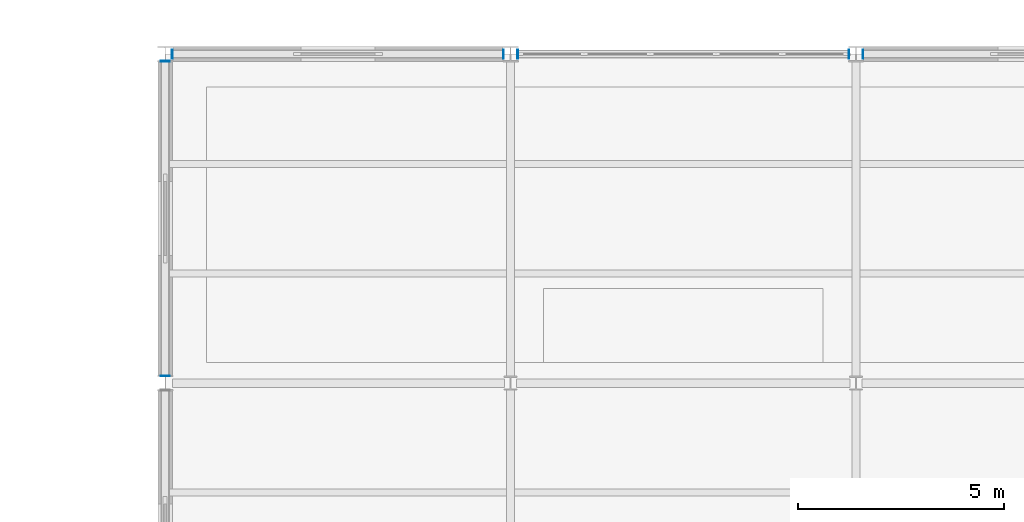
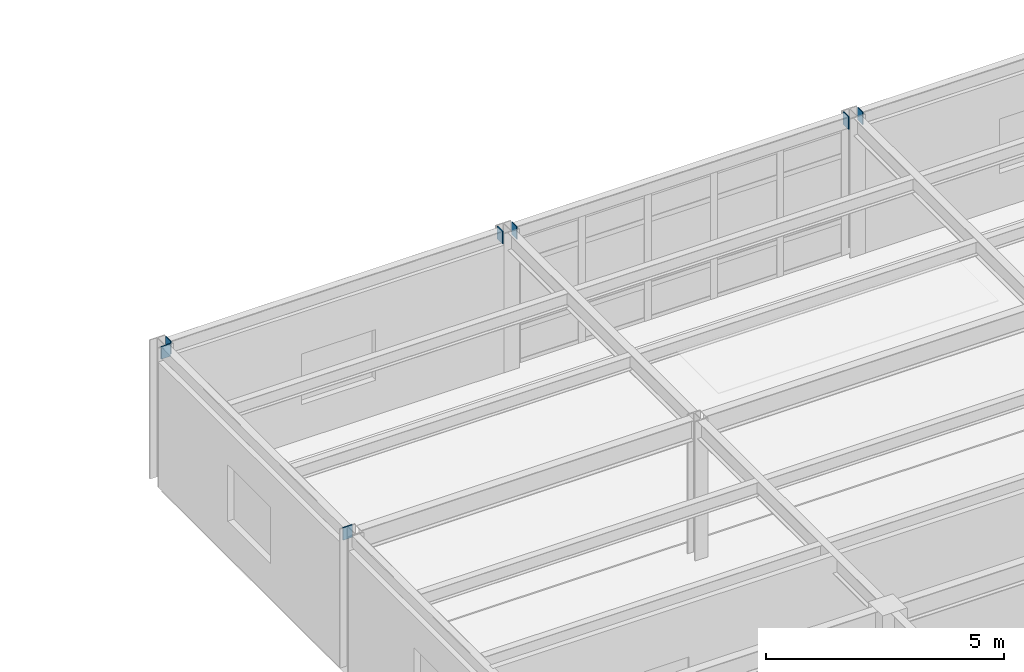
# One storey, part 81 of 96: 7 discrete accessories.
"""IFC4 building model written with IfcOpenShell, lengths in metres."""

from ifc_helpers import new_model, si_unit, direction, frame, origin, origin_2d, place, context, subcontext, project, spatial, rectangle, extrude, material, layer, layer_set, type_object, element, save


model = new_model("IFC4")

# Units and contexts
model_context = context("Model", 3, precision=1e-05, world=origin(), true_north=direction((0.0, 1.0)))
body_context = subcontext(model_context, "Body", "Model", "MODEL_VIEW")
ifc_project = project(units=[si_unit("LENGTHUNIT", "METRE"), si_unit("AREAUNIT", "SQUARE_METRE"), si_unit("VOLUMEUNIT", "CUBIC_METRE"), si_unit("PLANEANGLEUNIT", "RADIAN"), si_unit("MASSUNIT", "GRAM", prefix="KILO")], contexts=[model_context])

# Site, building, storey
site_placement = place(None, origin())
site = spatial("IfcSite", under=ifc_project, at=site_placement, CompositionType="ELEMENT")
building_placement = place(site_placement, origin())
building = spatial("IfcBuilding", under=site, at=building_placement, Name="Kranzveld Transit Interchange", CompositionType="ELEMENT")
storey_placement = place(building_placement, frame((0.0, 0.0, 9.52001953125)))
storey = spatial("IfcBuildingStorey", under=building, at=storey_placement, Name="L02", CompositionType="ELEMENT", Elevation=9.52001953125)

# Discrete accessories
ifc_material = material(Name="Steel S355JR", Category="steel")
ifc_layer = layer(ifc_material, 0.02001953125)
ifc_layer_set = layer_set([ifc_layer], Name="Steel S355JR")
discrete_accessory_type = type_object("IfcDiscreteAccessoryType", Name="Hollow Section End Cap Bracket 20 S355JR", PredefinedType="BRACKET", material=ifc_layer_set)
for number, where, z_axis, x_axis, name in (
    (1, (100.981201171875, 112.0, 3.419921875), (-1.0, 0.0, 0.0), (0.0, -1.0, 0.0), "Hollow Section End Cap SP-RHS300-1"),
    (2, (109.018798828125, 112.0, 3.419921875), (1.0, 0.0, 0.0), (0.0, 1.0, 0.0), "Hollow Section End Cap SP-RHS300-2"),
    (3, (109.38134765625, 112.0, 3.419921875), (-1.0, 0.0, 0.0), (0.0, -1.0, 0.0), "Hollow Section End Cap SP-RHS300-1"),
    (4, (117.418701171875, 112.0, 3.419921875), (1.0, 0.0, 0.0), (0.0, 1.0, 0.0), "Hollow Section End Cap SP-RHS300-2"),
    (5, (117.78125, 112.0, 3.419921875), (-1.0, 0.0, 0.0), (0.0, -1.0, 0.0), "Hollow Section End Cap SP-RHS300-1"),
    (6, (100.800048828125, 104.181396484375, 3.419921875), (0.0, -1.0, 0.0), (1.0, 0.0, 0.0), "Hollow Section End Cap SP-RHS300-1"),
    (7, (100.800048828125, 111.818603515625, 3.419921875), (0.0, 1.0, 0.0), (-1.0, 0.0, 0.0), "Hollow Section End Cap SP-RHS300-2"),
):
    element("IfcDiscreteAccessory", number, at=place(storey_placement, frame(where, z_axis=z_axis, x_axis=x_axis)), inside=storey, type_object=discrete_accessory_type, Name=name, PredefinedType="BRACKET", context=body_context, shape_type="SweptSolid", body=[
        extrude(rectangle(XDim=0.22412109375, YDim=0.323974609375, at=origin_2d()), origin(), (0.0, 0.0, 1.0), 0.02001953125),
    ])

save(model, "model.ifc")
